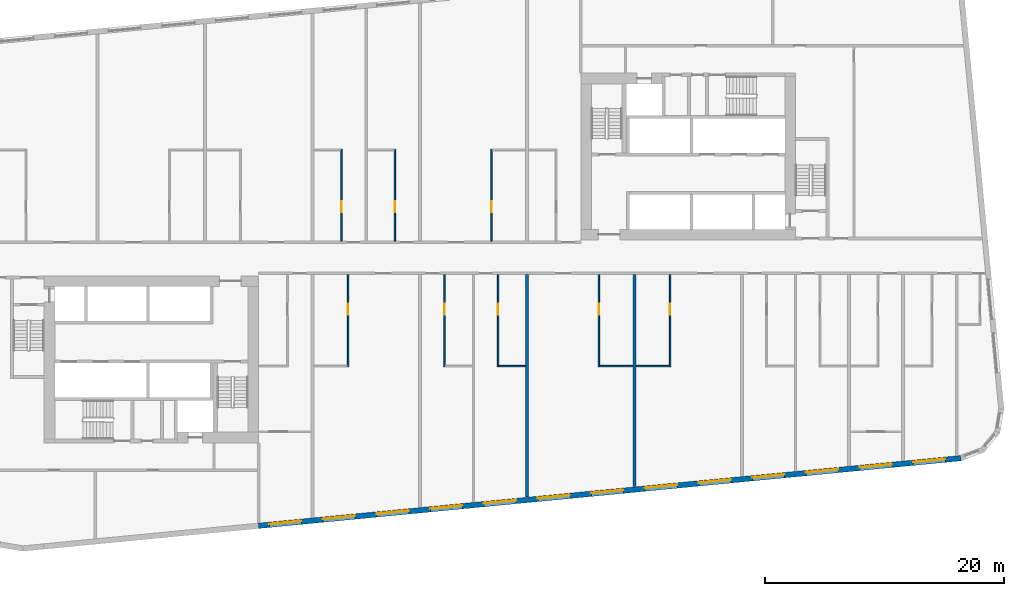
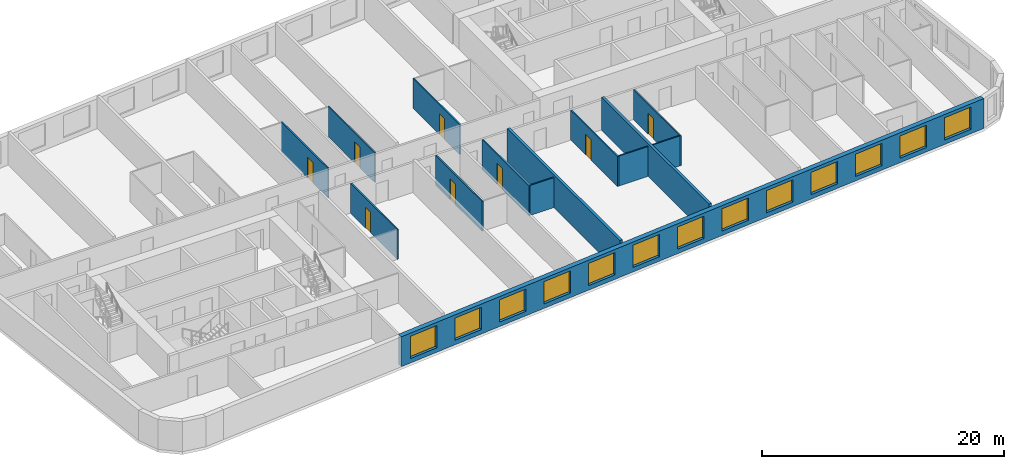
# One storey, part 4 of 12: 14 walls, 13 windows, 8 doors, 21 openings.
"""IFC4 building model written with IfcOpenShell, lengths in metres."""

import ifcopenshell
import ifcopenshell.guid

model = None  # the IFC model being written
_history = None  # IfcOwnerHistory: only IFC2X3 demands one
_inside = {}  # id of a spatial element -> (the spatial element, [elements in it])
_under = {}  # id of a project, library or spatial element -> (it, [spatial elements below it])
_declared = {}  # id of a project -> (the project, [libraries it declares])
_typed = {}  # id of a type object -> (the type object, [elements of that type])
_made_of = {}  # id of a material, layer set ... -> (it, [elements and type objects made of it])


def new_model(schema):
    """Start an empty IFC model of exactly this schema.

    Asked for "IFC4X3", IfcOpenShell would pick the latest addendum, in which some entities
    have other attributes; the version numbers below select the first issue.
    IFC2X3 requires an IfcOwnerHistory on every rooted entity: one is made here for all.
    """
    global model, _history
    if schema == "IFC4X3":
        model = ifcopenshell.file(schema_version=(4, 3, 0, 0))
    else:
        model = ifcopenshell.file(schema=schema)
    _inside.clear()
    _under.clear()
    _declared.clear()
    _typed.clear()
    _made_of.clear()
    _history = None
    if model.schema == "IFC2X3":
        org = make("IfcOrganization", Name="unknown")
        user = make(
            "IfcPersonAndOrganization",
            ThePerson=make("IfcPerson", FamilyName="unknown"),
            TheOrganization=org,
        )
        app = make(
            "IfcApplication",
            ApplicationDeveloper=org,
            Version="unknown",
            ApplicationFullName="unknown",
            ApplicationIdentifier="unknown",
        )
        _history = make(
            "IfcOwnerHistory",
            OwningUser=user,
            OwningApplication=app,
            ChangeAction="ADDED",
            CreationDate=0,
        )
    return model


def make(cls, **values):
    """One entity of the class cls with the attributes given. An attribute that is None is left unset."""
    return model.create_entity(
        cls, **{name: value for name, value in values.items() if value is not None}
    )


def rooted(cls, **values):
    """An entity with a GlobalId (a new one), such as an element, a storey or a relation."""
    return make(cls, GlobalId=ifcopenshell.guid.new(), OwnerHistory=_history, **values)


def si_unit(unit_type, name, prefix=None):
    """IfcSIUnit, for example si_unit("LENGTHUNIT", "METRE", prefix="MILLI")."""
    return make("IfcSIUnit", UnitType=unit_type, Prefix=prefix, Name=name)


def assignment(units):
    """IfcUnitAssignment: the units of a project."""
    return None if units is None else make("IfcUnitAssignment", Units=units)


def point(xyz):
    """IfcCartesianPoint."""
    return None if xyz is None else make("IfcCartesianPoint", Coordinates=xyz)


def direction(xyz):
    """IfcDirection."""
    return None if xyz is None else make("IfcDirection", DirectionRatios=xyz)


def frame(location, z_axis=None, x_axis=None):
    """IfcAxis2Placement3D, a coordinate frame: its origin and axes. An axis left out is left unset."""
    return make(
        "IfcAxis2Placement3D",
        Location=point(location),
        Axis=direction(z_axis),
        RefDirection=direction(x_axis),
    )


def frame_2d(location, x_axis=None):
    """IfcAxis2Placement2D, a coordinate frame in the plane: its origin and x axis."""
    return make(
        "IfcAxis2Placement2D", Location=point(location), RefDirection=direction(x_axis)
    )


def origin():
    """The frame at (0, 0, 0) with its axes left unset."""
    return frame((0.0, 0.0, 0.0))


def place(relative_to, where):
    """IfcLocalPlacement: puts the frame where relative to a parent placement (None: the world)."""
    return make(
        "IfcLocalPlacement", PlacementRelTo=relative_to, RelativePlacement=where
    )


def context(
    kind, dimensions, precision=None, world=None, true_north=None, identifier=None
):
    """IfcGeometricRepresentationContext, for example the 3D "Model" context."""
    return make(
        "IfcGeometricRepresentationContext",
        ContextIdentifier=identifier,
        ContextType=kind,
        CoordinateSpaceDimension=dimensions,
        Precision=precision,
        WorldCoordinateSystem=world,
        TrueNorth=true_north,
    )


def subcontext(parent, identifier, kind, view, scale=None):
    """IfcGeometricRepresentationSubContext, for example "Body" below "Model"."""
    return make(
        "IfcGeometricRepresentationSubContext",
        ContextIdentifier=identifier,
        ContextType=kind,
        ParentContext=parent,
        TargetScale=scale,
        TargetView=view,
    )


def project(units=None, contexts=None):
    """IfcProject with its units and contexts."""
    return rooted(
        "IfcProject",
        Name="project",
        RepresentationContexts=contexts,
        UnitsInContext=assignment(units),
    )


def spatial(cls, under=None, at=None, **own):
    """A site, building, storey or space (cls), placed at a placement, below another one or the project."""
    s = rooted(cls, ObjectPlacement=at, **own)
    if under is not None:
        _under.setdefault(under.id(), (under, []))[1].append(s)
    return s


def profile(cls, at=None, kind="AREA", **sizes):
    """A parametric profile (cls). Its sizes go by their IFC names, for example OverallWidth=200.0."""
    return make(cls, ProfileType=kind, Position=at, **sizes)


def rectangle(**sizes):
    """IfcRectangleProfileDef."""
    return profile("IfcRectangleProfileDef", **sizes)


def extrude(swept, where, along, depth):
    """IfcExtrudedAreaSolid: the profile swept, set in the frame where, extruded along a direction by depth."""
    return make(
        "IfcExtrudedAreaSolid",
        SweptArea=swept,
        Position=where,
        ExtrudedDirection=direction(along),
        Depth=depth,
    )


def shape(context_of_items, identifier, shape_type, items):
    """IfcShapeRepresentation: the items that make up one representation, for example the "Body"."""
    return make(
        "IfcShapeRepresentation",
        ContextOfItems=context_of_items,
        RepresentationIdentifier=identifier,
        RepresentationType=shape_type,
        Items=items,
    )


def material(Name=None, Category=None):
    """IfcMaterial."""
    return make("IfcMaterial", Name=Name, Category=Category)


def layer(
    of_material, thickness, ventilated=None, Name=None, Category=None, Priority=None
):
    """IfcMaterialLayer: one layer of a wall or slab, of a material (None: an air gap)."""
    return make(
        "IfcMaterialLayer",
        Material=of_material,
        LayerThickness=thickness,
        IsVentilated=ventilated,
        Name=Name,
        Category=Category,
        Priority=Priority,
    )


def layer_set(layers, Name=None):
    """IfcMaterialLayerSet."""
    return make("IfcMaterialLayerSet", MaterialLayers=layers, LayerSetName=Name)


def made_of(thing, what):
    """Note that an element or type object is made of a material, layer set ...; save() writes the relation."""
    if what is not None:
        _made_of.setdefault(what.id(), (what, []))[1].append(thing)
    return thing


def type_object(cls, material=None, **own):
    """A type object (cls), such as IfcWallType, which elements share."""
    return made_of(rooted(cls, **own), material)


def element(
    cls,
    number,
    at=None,
    inside=None,
    cuts=None,
    type_object=None,
    material=None,
    context=None,
    identifier="Body",
    shape_type=None,
    held_by="IfcProductDefinitionShape",
    body=None,
    shapes=None,
    **own,
):
    """One element of the class cls, such as IfcWall. Its Tag is "e" and its number.

    at: its placement. inside: the storey or other place that contains it. cuts: it is an
    opening in that element (IfcRelVoidsElement). A single representation is given by context,
    identifier, shape_type and body (its items); several are given by shapes. held_by: the class
    of the entity that holds the representations. save() writes the other relations.
    """
    e = rooted(cls, Tag="e%d" % number, ObjectPlacement=at, **own)
    if body is not None:
        shapes = [shape(context, identifier, shape_type, body)]
    if shapes is not None:
        e.Representation = make(held_by, Representations=shapes)
    if inside is not None:
        _inside.setdefault(inside.id(), (inside, []))[1].append(e)
    if cuts is not None:
        rooted(
            "IfcRelVoidsElement", RelatingBuildingElement=cuts, RelatedOpeningElement=e
        )
    if type_object is not None:
        _typed.setdefault(type_object.id(), (type_object, []))[1].append(e)
    return made_of(e, material)


def fill(opening, filler):
    """IfcRelFillsElement: the door or window that sits in an opening."""
    return rooted(
        "IfcRelFillsElement",
        RelatingOpeningElement=opening,
        RelatedBuildingElement=filler,
    )


def aggregate(whole, parts):
    """IfcRelAggregates: a whole, such as a stair, and the parts it consists of."""
    return rooted("IfcRelAggregates", RelatingObject=whole, RelatedObjects=parts)


def save(model, path):
    """Write the relations noted so far, then the file.

    IfcRelAggregates (storeys below a building ...), IfcRelContainedInSpatialStructure (elements
    in a storey), IfcRelDefinesByType, IfcRelAssociatesMaterial and IfcRelDeclares: one each for
    every whole, place, type object, material and project.
    """
    for whole, parts in _under.values():
        aggregate(whole, parts)
    for where, things in _inside.values():
        rooted(
            "IfcRelContainedInSpatialStructure",
            RelatedElements=things,
            RelatingStructure=where,
        )
    for kind, things in _typed.values():
        rooted("IfcRelDefinesByType", RelatedObjects=things, RelatingType=kind)
    for what, things in _made_of.values():
        rooted("IfcRelAssociatesMaterial", RelatedObjects=things, RelatingMaterial=what)
    for by, libraries in _declared.values():
        rooted("IfcRelDeclares", RelatingContext=by, RelatedDefinitions=libraries)
    model.write(path)


model = new_model("IFC4")

# Units and contexts
model_context = context("Model", 3, precision=1e-05, world=origin(), true_north=direction((0.0, 1.0)))
body_context = subcontext(model_context, "Body", "Model", "MODEL_VIEW")
ifc_project = project(units=[si_unit("LENGTHUNIT", "METRE"), si_unit("AREAUNIT", "SQUARE_METRE"), si_unit("VOLUMEUNIT", "CUBIC_METRE"), si_unit("PLANEANGLEUNIT", "RADIAN"), si_unit("MASSUNIT", "GRAM", prefix="KILO")], contexts=[model_context])

# Site, building, storey
site_placement = place(None, origin())
site = spatial("IfcSite", under=ifc_project, at=site_placement, CompositionType="ELEMENT")
building_placement = place(site_placement, origin())
building = spatial("IfcBuilding", under=site, at=building_placement, Name="Kajstack Hotel Tower", CompositionType="ELEMENT")
storey_placement = place(building_placement, frame((0.0, 0.0, 133.89990234375)))
storey = spatial("IfcBuildingStorey", under=building, at=storey_placement, Name="L30", CompositionType="ELEMENT", Elevation=133.89990234375)

# Wall, openings, windows
ifc_material_1 = material(Name="Terracotta-faced brick masonry", Category="masonry")
ifc_layer_1 = layer(ifc_material_1, 0.449951171875)
ifc_layer_set_1 = layer_set([ifc_layer_1], Name="EW-TERRA")
wall_type_1 = type_object("IfcWallType", Name="EW-TERRA", PredefinedType="SOLIDWALL", material=ifc_layer_set_1)
wall_1_placement = place(storey_placement, frame((-13.521484375, -22.46044921875, 0.0), z_axis=(0.0, 0.0, 1.0), x_axis=(0.995396096335, 0.095846812164, 0.0)))
wall_1 = element("IfcWall", 1, at=wall_1_placement, inside=storey, type_object=wall_type_1, Name="E-wall-L30-04-02", PredefinedType="SOLIDWALL", context=body_context, shape_type="SweptSolid", body=[
    extrude(rectangle(XDim=59.15087890625, YDim=0.449951171875, at=frame_2d((29.575439453125, 0.0))), origin(), (0.0, 0.0, 1.0), 3.02001953125),
])
opening_1_placement = place(wall_1_placement, frame((0.910400390625, 0.0, 0.449951171875)))
opening_1 = element("IfcOpeningElement", 2, at=opening_1_placement, cuts=wall_1, Name="Opening W1", PredefinedType="OPENING", context=body_context, shape_type="SweptSolid", body=[
    extrude(rectangle(XDim=2.699951171875, YDim=2.25, at=frame_2d((1.35009765625, 1.125))), frame((0.0, 0.23486328125, 0.0), z_axis=(0.0, -1.0, 0.0), x_axis=(1.0, 0.0, 0.0)), (0.0, 0.0, 1.0), 0.469970703125),
])
opening_2_placement = place(wall_1_placement, frame((5.43115234375, 0.0, 0.449951171875)))
opening_2 = element("IfcOpeningElement", 3, at=opening_2_placement, cuts=wall_1, Name="Opening W1", PredefinedType="OPENING", context=body_context, shape_type="SweptSolid", body=[
    extrude(rectangle(XDim=2.699951171875, YDim=2.25, at=frame_2d((1.35009765625, 1.125))), frame((0.0, 0.23486328125, 0.0), z_axis=(0.0, -1.0, 0.0), x_axis=(1.0, 0.0, 0.0)), (0.0, 0.0, 1.0), 0.469970703125),
])
opening_3_placement = place(wall_1_placement, frame((9.951904296875, 0.0, 0.449951171875)))
opening_3 = element("IfcOpeningElement", 4, at=opening_3_placement, cuts=wall_1, Name="Opening W1", PredefinedType="OPENING", context=body_context, shape_type="SweptSolid", body=[
    extrude(rectangle(XDim=2.699951171875, YDim=2.25, at=frame_2d((1.35009765625, 1.125))), frame((0.0, 0.23486328125, 0.0), z_axis=(0.0, -1.0, 0.0), x_axis=(1.0, 0.0, 0.0)), (0.0, 0.0, 1.0), 0.469970703125),
])
opening_4_placement = place(wall_1_placement, frame((14.472900390625, 0.0, 0.449951171875)))
opening_4 = element("IfcOpeningElement", 5, at=opening_4_placement, cuts=wall_1, Name="Opening W1", PredefinedType="OPENING", context=body_context, shape_type="SweptSolid", body=[
    extrude(rectangle(XDim=2.699951171875, YDim=2.25, at=frame_2d((1.35009765625, 1.125))), frame((0.0, 0.23486328125, 0.0), z_axis=(0.0, -1.0, 0.0), x_axis=(1.0, 0.0, 0.0)), (0.0, 0.0, 1.0), 0.469970703125),
])
opening_5_placement = place(wall_1_placement, frame((18.99365234375, 0.0, 0.449951171875)))
opening_5 = element("IfcOpeningElement", 6, at=opening_5_placement, cuts=wall_1, Name="Opening W1", PredefinedType="OPENING", context=body_context, shape_type="SweptSolid", body=[
    extrude(rectangle(XDim=2.699951171875, YDim=2.25, at=frame_2d((1.35009765625, 1.125))), frame((0.0, 0.23486328125, 0.0), z_axis=(0.0, -1.0, 0.0), x_axis=(1.0, 0.0, 0.0)), (0.0, 0.0, 1.0), 0.469970703125),
])
opening_6_placement = place(wall_1_placement, frame((23.514404296875, 0.0, 0.449951171875)))
opening_6 = element("IfcOpeningElement", 7, at=opening_6_placement, cuts=wall_1, Name="Opening W1", PredefinedType="OPENING", context=body_context, shape_type="SweptSolid", body=[
    extrude(rectangle(XDim=2.699951171875, YDim=2.25, at=frame_2d((1.35009765625, 1.125))), frame((0.0, 0.23486328125, 0.0), z_axis=(0.0, -1.0, 0.0), x_axis=(1.0, 0.0, 0.0)), (0.0, 0.0, 1.0), 0.469970703125),
])
opening_7_placement = place(wall_1_placement, frame((28.035400390625, 0.0, 0.449951171875)))
opening_7 = element("IfcOpeningElement", 8, at=opening_7_placement, cuts=wall_1, Name="Opening W1", PredefinedType="OPENING", context=body_context, shape_type="SweptSolid", body=[
    extrude(rectangle(XDim=2.699951171875, YDim=2.25, at=frame_2d((1.35009765625, 1.125))), frame((0.0, 0.23486328125, 0.0), z_axis=(0.0, -1.0, 0.0), x_axis=(1.0, 0.0, 0.0)), (0.0, 0.0, 1.0), 0.469970703125),
])
opening_8_placement = place(wall_1_placement, frame((32.55615234375, 0.0, 0.449951171875)))
opening_8 = element("IfcOpeningElement", 9, at=opening_8_placement, cuts=wall_1, Name="Opening W1", PredefinedType="OPENING", context=body_context, shape_type="SweptSolid", body=[
    extrude(rectangle(XDim=2.699951171875, YDim=2.25, at=frame_2d((1.35009765625, 1.125))), frame((0.0, 0.23486328125, 0.0), z_axis=(0.0, -1.0, 0.0), x_axis=(1.0, 0.0, 0.0)), (0.0, 0.0, 1.0), 0.469970703125),
])
opening_9_placement = place(wall_1_placement, frame((37.076904296875, 0.0, 0.449951171875)))
opening_9 = element("IfcOpeningElement", 10, at=opening_9_placement, cuts=wall_1, Name="Opening W1", PredefinedType="OPENING", context=body_context, shape_type="SweptSolid", body=[
    extrude(rectangle(XDim=2.699951171875, YDim=2.25, at=frame_2d((1.35009765625, 1.125))), frame((0.0, 0.23486328125, 0.0), z_axis=(0.0, -1.0, 0.0), x_axis=(1.0, 0.0, 0.0)), (0.0, 0.0, 1.0), 0.469970703125),
])
opening_10_placement = place(wall_1_placement, frame((41.59765625, 0.0, 0.449951171875)))
opening_10 = element("IfcOpeningElement", 11, at=opening_10_placement, cuts=wall_1, Name="Opening W1", PredefinedType="OPENING", context=body_context, shape_type="SweptSolid", body=[
    extrude(rectangle(XDim=2.699951171875, YDim=2.25, at=frame_2d((1.35009765625, 1.125))), frame((0.0, 0.23486328125, 0.0), z_axis=(0.0, -1.0, 0.0), x_axis=(1.0, 0.0, 0.0)), (0.0, 0.0, 1.0), 0.469970703125),
])
opening_11_placement = place(wall_1_placement, frame((46.118408203125, 0.0, 0.449951171875)))
opening_11 = element("IfcOpeningElement", 12, at=opening_11_placement, cuts=wall_1, Name="Opening W1", PredefinedType="OPENING", context=body_context, shape_type="SweptSolid", body=[
    extrude(rectangle(XDim=2.699951171875, YDim=2.25, at=frame_2d((1.35009765625, 1.125))), frame((0.0, 0.23486328125, 0.0), z_axis=(0.0, -1.0, 0.0), x_axis=(1.0, 0.0, 0.0)), (0.0, 0.0, 1.0), 0.469970703125),
])
opening_12_placement = place(wall_1_placement, frame((50.639404296875, 0.0, 0.449951171875)))
opening_12 = element("IfcOpeningElement", 13, at=opening_12_placement, cuts=wall_1, Name="Opening W1", PredefinedType="OPENING", context=body_context, shape_type="SweptSolid", body=[
    extrude(rectangle(XDim=2.699951171875, YDim=2.25, at=frame_2d((1.35009765625, 1.125))), frame((0.0, 0.23486328125, 0.0), z_axis=(0.0, -1.0, 0.0), x_axis=(1.0, 0.0, 0.0)), (0.0, 0.0, 1.0), 0.469970703125),
])
opening_13_placement = place(wall_1_placement, frame((55.149658203125, 0.0, 0.449951171875)))
opening_13 = element("IfcOpeningElement", 14, at=opening_13_placement, cuts=wall_1, Name="Opening W1", PredefinedType="OPENING", context=body_context, shape_type="SweptSolid", body=[
    extrude(rectangle(XDim=2.699951171875, YDim=2.25, at=frame_2d((1.35009765625, 1.125))), frame((0.0, 0.23486328125, 0.0), z_axis=(0.0, -1.0, 0.0), x_axis=(1.0, 0.0, 0.0)), (0.0, 0.0, 1.0), 0.469970703125),
])
ifc_material_2 = material(Name="Timber-aluminium window, triple glazed", Category="wood")
window_type = type_object("IfcWindowType", Name="WG1", PartitioningType="SINGLE_PANEL", PredefinedType="WINDOW", material=ifc_material_2)
window_1_placement = place(opening_1_placement, origin())
window_1 = element("IfcWindow", 15, at=window_1_placement, inside=storey, type_object=window_type, Name="Window W1 L30-04", OverallHeight=2.25, OverallWidth=2.699951171875, PartitioningType="SINGLE_PANEL", PredefinedType="WINDOW", context=body_context, shape_type="SweptSolid", body=[
    extrude(rectangle(XDim=2.699951171875, YDim=2.25, at=frame_2d((1.35009765625, 1.125))), frame((0.0, 0.090087890625, 0.0), z_axis=(0.0, -1.0, 0.0), x_axis=(1.0, 0.0, 0.0)), (0.0, 0.0, 1.0), 0.06005859375),
])
fill(opening_1, window_1)
window_2_placement = place(opening_2_placement, origin())
window_2 = element("IfcWindow", 16, at=window_2_placement, inside=storey, type_object=window_type, Name="Window W1 L30-04", OverallHeight=2.25, OverallWidth=2.699951171875, PartitioningType="SINGLE_PANEL", PredefinedType="WINDOW", context=body_context, shape_type="SweptSolid", body=[
    extrude(rectangle(XDim=2.699951171875, YDim=2.25, at=frame_2d((1.35009765625, 1.125))), frame((0.0, 0.090087890625, 0.0), z_axis=(0.0, -1.0, 0.0), x_axis=(1.0, 0.0, 0.0)), (0.0, 0.0, 1.0), 0.06005859375),
])
fill(opening_2, window_2)
window_3_placement = place(opening_3_placement, origin())
window_3 = element("IfcWindow", 17, at=window_3_placement, inside=storey, type_object=window_type, Name="Window W1 L30-04", OverallHeight=2.25, OverallWidth=2.699951171875, PartitioningType="SINGLE_PANEL", PredefinedType="WINDOW", context=body_context, shape_type="SweptSolid", body=[
    extrude(rectangle(XDim=2.699951171875, YDim=2.25, at=frame_2d((1.35009765625, 1.125))), frame((0.0, 0.090087890625, 0.0), z_axis=(0.0, -1.0, 0.0), x_axis=(1.0, 0.0, 0.0)), (0.0, 0.0, 1.0), 0.06005859375),
])
fill(opening_3, window_3)
window_4_placement = place(opening_4_placement, origin())
window_4 = element("IfcWindow", 18, at=window_4_placement, inside=storey, type_object=window_type, Name="Window W1 L30-04", OverallHeight=2.25, OverallWidth=2.699951171875, PartitioningType="SINGLE_PANEL", PredefinedType="WINDOW", context=body_context, shape_type="SweptSolid", body=[
    extrude(rectangle(XDim=2.699951171875, YDim=2.25, at=frame_2d((1.35009765625, 1.125))), frame((0.0, 0.090087890625, 0.0), z_axis=(0.0, -1.0, 0.0), x_axis=(1.0, 0.0, 0.0)), (0.0, 0.0, 1.0), 0.06005859375),
])
fill(opening_4, window_4)
window_5_placement = place(opening_5_placement, origin())
window_5 = element("IfcWindow", 19, at=window_5_placement, inside=storey, type_object=window_type, Name="Window W1 L30-04", OverallHeight=2.25, OverallWidth=2.699951171875, PartitioningType="SINGLE_PANEL", PredefinedType="WINDOW", context=body_context, shape_type="SweptSolid", body=[
    extrude(rectangle(XDim=2.699951171875, YDim=2.25, at=frame_2d((1.35009765625, 1.125))), frame((0.0, 0.090087890625, 0.0), z_axis=(0.0, -1.0, 0.0), x_axis=(1.0, 0.0, 0.0)), (0.0, 0.0, 1.0), 0.06005859375),
])
fill(opening_5, window_5)
window_6_placement = place(opening_6_placement, origin())
window_6 = element("IfcWindow", 20, at=window_6_placement, inside=storey, type_object=window_type, Name="Window W1 L30-04", OverallHeight=2.25, OverallWidth=2.699951171875, PartitioningType="SINGLE_PANEL", PredefinedType="WINDOW", context=body_context, shape_type="SweptSolid", body=[
    extrude(rectangle(XDim=2.699951171875, YDim=2.25, at=frame_2d((1.35009765625, 1.125))), frame((0.0, 0.090087890625, 0.0), z_axis=(0.0, -1.0, 0.0), x_axis=(1.0, 0.0, 0.0)), (0.0, 0.0, 1.0), 0.06005859375),
])
fill(opening_6, window_6)
window_7_placement = place(opening_7_placement, origin())
window_7 = element("IfcWindow", 21, at=window_7_placement, inside=storey, type_object=window_type, Name="Window W1 L30-04", OverallHeight=2.25, OverallWidth=2.699951171875, PartitioningType="SINGLE_PANEL", PredefinedType="WINDOW", context=body_context, shape_type="SweptSolid", body=[
    extrude(rectangle(XDim=2.699951171875, YDim=2.25, at=frame_2d((1.35009765625, 1.125))), frame((0.0, 0.090087890625, 0.0), z_axis=(0.0, -1.0, 0.0), x_axis=(1.0, 0.0, 0.0)), (0.0, 0.0, 1.0), 0.06005859375),
])
fill(opening_7, window_7)
window_8_placement = place(opening_8_placement, origin())
window_8 = element("IfcWindow", 22, at=window_8_placement, inside=storey, type_object=window_type, Name="Window W1 L30-04", OverallHeight=2.25, OverallWidth=2.699951171875, PartitioningType="SINGLE_PANEL", PredefinedType="WINDOW", context=body_context, shape_type="SweptSolid", body=[
    extrude(rectangle(XDim=2.699951171875, YDim=2.25, at=frame_2d((1.35009765625, 1.125))), frame((0.0, 0.090087890625, 0.0), z_axis=(0.0, -1.0, 0.0), x_axis=(1.0, 0.0, 0.0)), (0.0, 0.0, 1.0), 0.06005859375),
])
fill(opening_8, window_8)
window_9_placement = place(opening_9_placement, origin())
window_9 = element("IfcWindow", 23, at=window_9_placement, inside=storey, type_object=window_type, Name="Window W1 L30-04", OverallHeight=2.25, OverallWidth=2.699951171875, PartitioningType="SINGLE_PANEL", PredefinedType="WINDOW", context=body_context, shape_type="SweptSolid", body=[
    extrude(rectangle(XDim=2.699951171875, YDim=2.25, at=frame_2d((1.35009765625, 1.125))), frame((0.0, 0.090087890625, 0.0), z_axis=(0.0, -1.0, 0.0), x_axis=(1.0, 0.0, 0.0)), (0.0, 0.0, 1.0), 0.06005859375),
])
fill(opening_9, window_9)
window_10_placement = place(opening_10_placement, origin())
window_10 = element("IfcWindow", 24, at=window_10_placement, inside=storey, type_object=window_type, Name="Window W1 L30-04", OverallHeight=2.25, OverallWidth=2.699951171875, PartitioningType="SINGLE_PANEL", PredefinedType="WINDOW", context=body_context, shape_type="SweptSolid", body=[
    extrude(rectangle(XDim=2.699951171875, YDim=2.25, at=frame_2d((1.35009765625, 1.125))), frame((0.0, 0.090087890625, 0.0), z_axis=(0.0, -1.0, 0.0), x_axis=(1.0, 0.0, 0.0)), (0.0, 0.0, 1.0), 0.06005859375),
])
fill(opening_10, window_10)
window_11_placement = place(opening_11_placement, origin())
window_11 = element("IfcWindow", 25, at=window_11_placement, inside=storey, type_object=window_type, Name="Window W1 L30-04", OverallHeight=2.25, OverallWidth=2.699951171875, PartitioningType="SINGLE_PANEL", PredefinedType="WINDOW", context=body_context, shape_type="SweptSolid", body=[
    extrude(rectangle(XDim=2.699951171875, YDim=2.25, at=frame_2d((1.35009765625, 1.125))), frame((0.0, 0.090087890625, 0.0), z_axis=(0.0, -1.0, 0.0), x_axis=(1.0, 0.0, 0.0)), (0.0, 0.0, 1.0), 0.06005859375),
])
fill(opening_11, window_11)
window_12_placement = place(opening_12_placement, origin())
window_12 = element("IfcWindow", 26, at=window_12_placement, inside=storey, type_object=window_type, Name="Window W1 L30-04", OverallHeight=2.25, OverallWidth=2.699951171875, PartitioningType="SINGLE_PANEL", PredefinedType="WINDOW", context=body_context, shape_type="SweptSolid", body=[
    extrude(rectangle(XDim=2.699951171875, YDim=2.25, at=frame_2d((1.35009765625, 1.125))), frame((0.0, 0.090087890625, 0.0), z_axis=(0.0, -1.0, 0.0), x_axis=(1.0, 0.0, 0.0)), (0.0, 0.0, 1.0), 0.06005859375),
])
fill(opening_12, window_12)
window_13_placement = place(opening_13_placement, origin())
window_13 = element("IfcWindow", 27, at=window_13_placement, inside=storey, type_object=window_type, Name="Window W1 L30-04", OverallHeight=2.25, OverallWidth=2.699951171875, PartitioningType="SINGLE_PANEL", PredefinedType="WINDOW", context=body_context, shape_type="SweptSolid", body=[
    extrude(rectangle(XDim=2.699951171875, YDim=2.25, at=frame_2d((1.35009765625, 1.125))), frame((0.0, 0.090087890625, 0.0), z_axis=(0.0, -1.0, 0.0), x_axis=(1.0, 0.0, 0.0)), (0.0, 0.0, 1.0), 0.06005859375),
])
fill(opening_13, window_13)

# Wall, opening, door
ifc_material_3 = material(Name="Gypsum board and tiled backer on steel studs", Category="steel")
ifc_layer_2 = layer(ifc_material_3, 0.125)
ifc_layer_set_2 = layer_set([ifc_layer_2], Name="En-suite wall 125")
wall_type_2 = type_object("IfcWallType", Name="En-suite wall 125", PredefinedType="PARTITIONING", material=ifc_layer_set_2)
wall_2_placement = place(storey_placement, frame((-6.56201171875, 1.39990234375, 0.0), z_axis=(0.0, 0.0, 1.0), x_axis=(0.0, 1.0, 0.0)))
wall_2 = element("IfcWall", 28, at=wall_2_placement, inside=storey, type_object=wall_type_2, Name="G-wall-L30-013", PredefinedType="PARTITIONING", context=body_context, shape_type="SweptSolid", body=[
    extrude(rectangle(XDim=7.72509765625, YDim=0.125, at=frame_2d((3.862548828125, 0.0))), origin(), (0.0, 0.0, 1.0), 3.02001953125),
])
opening_14_placement = place(wall_2_placement, frame((2.449951171875, 0.0, 0.0)))
opening_14 = element("IfcOpeningElement", 29, at=opening_14_placement, cuts=wall_2, Name="Opening 30010", PredefinedType="OPENING", context=body_context, shape_type="SweptSolid", body=[
    extrude(rectangle(XDim=0.89990234375, YDim=2.10009765625, at=frame_2d((0.449951171875, 1.050048828125))), frame((0.0, 0.072509765625, 0.0), z_axis=(0.0, -1.0, 0.0), x_axis=(1.0, 0.0, 0.0)), (0.0, 0.0, 1.0), 0.14501953125),
])
ifc_material_4 = material(Name="Painted timber door leaf", Category="wood")
door_type = type_object("IfcDoorType", Name="Room door 900", OperationType="SINGLE_SWING_LEFT", PredefinedType="DOOR", material=ifc_material_4)
door_1_placement = place(opening_14_placement, origin())
door_1 = element("IfcDoor", 30, at=door_1_placement, inside=storey, type_object=door_type, Name="G-door-L30-10", OperationType="SINGLE_SWING_LEFT", OverallHeight=2.10009765625, OverallWidth=0.89990234375, PredefinedType="DOOR", context=body_context, shape_type="SweptSolid", body=[
    extrude(rectangle(XDim=0.89990234375, YDim=2.10009765625, at=frame_2d((0.449951171875, 1.050048828125))), frame((0.0, 0.02490234375, 0.0), z_axis=(0.0, -1.0, 0.0), x_axis=(1.0, 0.0, 0.0)), (0.0, 0.0, 1.0), 0.050048828125),
])
fill(opening_14, door_1)

wall_3_placement = place(storey_placement, frame((-2.0869140625, 1.39990234375, 0.0), z_axis=(0.0, 0.0, 1.0), x_axis=(0.0, 1.0, 0.0)))
wall_3 = element("IfcWall", 31, at=wall_3_placement, inside=storey, type_object=wall_type_2, Name="G-wall-L30-015", PredefinedType="PARTITIONING", context=body_context, shape_type="SweptSolid", body=[
    extrude(rectangle(XDim=7.72509765625, YDim=0.125, at=frame_2d((3.862548828125, 0.0))), origin(), (0.0, 0.0, 1.0), 3.02001953125),
])
opening_15_placement = place(wall_3_placement, frame((2.449951171875, 0.0, 0.0)))
opening_15 = element("IfcOpeningElement", 32, at=opening_15_placement, cuts=wall_3, Name="Opening 30012", PredefinedType="OPENING", context=body_context, shape_type="SweptSolid", body=[
    extrude(rectangle(XDim=0.89990234375, YDim=2.10009765625, at=frame_2d((0.449951171875, 1.050048828125))), frame((0.0, 0.072509765625, 0.0), z_axis=(0.0, -1.0, 0.0), x_axis=(1.0, 0.0, 0.0)), (0.0, 0.0, 1.0), 0.14501953125),
])
door_2_placement = place(opening_15_placement, origin())
door_2 = element("IfcDoor", 33, at=door_2_placement, inside=storey, type_object=door_type, Name="G-door-L30-12", OperationType="SINGLE_SWING_LEFT", OverallHeight=2.10009765625, OverallWidth=0.89990234375, PredefinedType="DOOR", context=body_context, shape_type="SweptSolid", body=[
    extrude(rectangle(XDim=0.89990234375, YDim=2.10009765625, at=frame_2d((0.449951171875, 1.050048828125))), frame((0.0, 0.02490234375, 0.0), z_axis=(0.0, -1.0, 0.0), x_axis=(1.0, 0.0, 0.0)), (0.0, 0.0, 1.0), 0.050048828125),
])
fill(opening_15, door_2)

wall_4_placement = place(storey_placement, frame((6.012939453125, 1.39990234375, 0.0), z_axis=(0.0, 0.0, 1.0), x_axis=(0.0, 1.0, 0.0)))
wall_4 = element("IfcWall", 34, at=wall_4_placement, inside=storey, type_object=wall_type_2, Name="G-wall-L30-017", PredefinedType="PARTITIONING", context=body_context, shape_type="SweptSolid", body=[
    extrude(rectangle(XDim=7.72509765625, YDim=0.125, at=frame_2d((3.862548828125, 0.0))), origin(), (0.0, 0.0, 1.0), 3.02001953125),
])
opening_16_placement = place(wall_4_placement, frame((2.449951171875, 0.0, 0.0)))
opening_16 = element("IfcOpeningElement", 35, at=opening_16_placement, cuts=wall_4, Name="Opening 30014", PredefinedType="OPENING", context=body_context, shape_type="SweptSolid", body=[
    extrude(rectangle(XDim=0.89990234375, YDim=2.10009765625, at=frame_2d((0.449951171875, 1.050048828125))), frame((0.0, 0.072509765625, 0.0), z_axis=(0.0, -1.0, 0.0), x_axis=(1.0, 0.0, 0.0)), (0.0, 0.0, 1.0), 0.14501953125),
])
door_3_placement = place(opening_16_placement, origin())
door_3 = element("IfcDoor", 36, at=door_3_placement, inside=storey, type_object=door_type, Name="G-door-L30-14", OperationType="SINGLE_SWING_RIGHT", OverallHeight=2.10009765625, OverallWidth=0.89990234375, PredefinedType="DOOR", context=body_context, shape_type="SweptSolid", body=[
    extrude(rectangle(XDim=0.89990234375, YDim=2.10009765625, at=frame_2d((0.449951171875, 1.050048828125))), frame((0.0, 0.02490234375, 0.0), z_axis=(0.0, -1.0, 0.0), x_axis=(1.0, 0.0, 0.0)), (0.0, 0.0, 1.0), 0.050048828125),
])
fill(opening_16, door_3)

wall_5_placement = place(storey_placement, frame((-6.012939453125, -9.125, 0.0), z_axis=(0.0, 0.0, 1.0), x_axis=(0.0, 1.0, 0.0)))
wall_5 = element("IfcWall", 37, at=wall_5_placement, inside=storey, type_object=wall_type_2, Name="G-wall-L30-025", PredefinedType="PARTITIONING", context=body_context, shape_type="SweptSolid", body=[
    extrude(rectangle(XDim=7.72509765625, YDim=0.125, at=frame_2d((3.862548828125, 0.0))), origin(), (0.0, 0.0, 1.0), 3.02001953125),
])
opening_17_placement = place(wall_5_placement, frame((4.375, 0.0, 0.0)))
opening_17 = element("IfcOpeningElement", 38, at=opening_17_placement, cuts=wall_5, Name="Opening 30021", PredefinedType="OPENING", context=body_context, shape_type="SweptSolid", body=[
    extrude(rectangle(XDim=0.89990234375, YDim=2.10009765625, at=frame_2d((0.449951171875, 1.050048828125))), frame((0.0, 0.072509765625, 0.0), z_axis=(0.0, -1.0, 0.0), x_axis=(1.0, 0.0, 0.0)), (0.0, 0.0, 1.0), 0.14501953125),
])
door_4_placement = place(opening_17_placement, origin())
door_4 = element("IfcDoor", 39, at=door_4_placement, inside=storey, type_object=door_type, Name="G-door-L30-21", OperationType="SINGLE_SWING_RIGHT", OverallHeight=2.10009765625, OverallWidth=0.89990234375, PredefinedType="DOOR", context=body_context, shape_type="SweptSolid", body=[
    extrude(rectangle(XDim=0.89990234375, YDim=2.10009765625, at=frame_2d((0.449951171875, 1.050048828125))), frame((0.0, 0.02490234375, 0.0), z_axis=(0.0, -1.0, 0.0), x_axis=(1.0, 0.0, 0.0)), (0.0, 0.0, 1.0), 0.050048828125),
])
fill(opening_17, door_4)

wall_6_placement = place(storey_placement, frame((2.0869140625, -9.125, 0.0), z_axis=(0.0, 0.0, 1.0), x_axis=(0.0, 1.0, 0.0)))
wall_6 = element("IfcWall", 40, at=wall_6_placement, inside=storey, type_object=wall_type_2, Name="G-wall-L30-028", PredefinedType="PARTITIONING", context=body_context, shape_type="SweptSolid", body=[
    extrude(rectangle(XDim=7.72509765625, YDim=0.125, at=frame_2d((3.862548828125, 0.0))), origin(), (0.0, 0.0, 1.0), 3.02001953125),
])
opening_18_placement = place(wall_6_placement, frame((4.375, 0.0, 0.0)))
opening_18 = element("IfcOpeningElement", 41, at=opening_18_placement, cuts=wall_6, Name="Opening 30023", PredefinedType="OPENING", context=body_context, shape_type="SweptSolid", body=[
    extrude(rectangle(XDim=0.89990234375, YDim=2.10009765625, at=frame_2d((0.449951171875, 1.050048828125))), frame((0.0, 0.072509765625, 0.0), z_axis=(0.0, -1.0, 0.0), x_axis=(1.0, 0.0, 0.0)), (0.0, 0.0, 1.0), 0.14501953125),
])
door_5_placement = place(opening_18_placement, origin())
door_5 = element("IfcDoor", 42, at=door_5_placement, inside=storey, type_object=door_type, Name="G-door-L30-23", OperationType="SINGLE_SWING_LEFT", OverallHeight=2.10009765625, OverallWidth=0.89990234375, PredefinedType="DOOR", context=body_context, shape_type="SweptSolid", body=[
    extrude(rectangle(XDim=0.89990234375, YDim=2.10009765625, at=frame_2d((0.449951171875, 1.050048828125))), frame((0.0, 0.02490234375, 0.0), z_axis=(0.0, -1.0, 0.0), x_axis=(1.0, 0.0, 0.0)), (0.0, 0.0, 1.0), 0.050048828125),
])
fill(opening_18, door_5)

wall_7_placement = place(storey_placement, frame((6.56201171875, -9.125, 0.0), z_axis=(0.0, 0.0, 1.0), x_axis=(0.0, 1.0, 0.0)))
wall_7 = element("IfcWall", 43, at=wall_7_placement, inside=storey, type_object=wall_type_2, Name="G-wall-L30-030", PredefinedType="PARTITIONING", context=body_context, shape_type="SweptSolid", body=[
    extrude(rectangle(XDim=7.72509765625, YDim=0.125, at=frame_2d((3.862548828125, 0.0))), origin(), (0.0, 0.0, 1.0), 3.02001953125),
])
opening_19_placement = place(wall_7_placement, frame((4.375, 0.0, 0.0)))
opening_19 = element("IfcOpeningElement", 44, at=opening_19_placement, cuts=wall_7, Name="Opening 30025", PredefinedType="OPENING", context=body_context, shape_type="SweptSolid", body=[
    extrude(rectangle(XDim=0.89990234375, YDim=2.10009765625, at=frame_2d((0.449951171875, 1.050048828125))), frame((0.0, 0.072509765625, 0.0), z_axis=(0.0, -1.0, 0.0), x_axis=(1.0, 0.0, 0.0)), (0.0, 0.0, 1.0), 0.14501953125),
])
door_6_placement = place(opening_19_placement, origin())
door_6 = element("IfcDoor", 45, at=door_6_placement, inside=storey, type_object=door_type, Name="G-door-L30-25", OperationType="SINGLE_SWING_RIGHT", OverallHeight=2.10009765625, OverallWidth=0.89990234375, PredefinedType="DOOR", context=body_context, shape_type="SweptSolid", body=[
    extrude(rectangle(XDim=0.89990234375, YDim=2.10009765625, at=frame_2d((0.449951171875, 1.050048828125))), frame((0.0, 0.02490234375, 0.0), z_axis=(0.0, -1.0, 0.0), x_axis=(1.0, 0.0, 0.0)), (0.0, 0.0, 1.0), 0.050048828125),
])
fill(opening_19, door_6)

# Wall
wall_8_placement = place(storey_placement, frame((6.625, -9.06201171875, 0.0), z_axis=(0.0, 0.0, 1.0), x_axis=(1.0, 0.0, 0.0)))
element("IfcWall", 46, at=wall_8_placement, inside=storey, type_object=wall_type_2, Name="G-wall-L30-031", PredefinedType="PARTITIONING", context=body_context, shape_type="SweptSolid", body=[
    extrude(rectangle(XDim=2.25, YDim=0.125, at=frame_2d((1.125, 0.0))), origin(), (0.0, 0.0, 1.0), 3.02001953125),
])

# Wall, opening, door
wall_9_placement = place(storey_placement, frame((15.011962890625, -9.125, 0.0), z_axis=(0.0, 0.0, 1.0), x_axis=(0.0, 1.0, 0.0)))
wall_9 = element("IfcWall", 47, at=wall_9_placement, inside=storey, type_object=wall_type_2, Name="G-wall-L30-032", PredefinedType="PARTITIONING", context=body_context, shape_type="SweptSolid", body=[
    extrude(rectangle(XDim=7.72509765625, YDim=0.125, at=frame_2d((3.862548828125, 0.0))), origin(), (0.0, 0.0, 1.0), 3.02001953125),
])
opening_20_placement = place(wall_9_placement, frame((4.375, 0.0, 0.0)))
opening_20 = element("IfcOpeningElement", 48, at=opening_20_placement, cuts=wall_9, Name="Opening 30027", PredefinedType="OPENING", context=body_context, shape_type="SweptSolid", body=[
    extrude(rectangle(XDim=0.89990234375, YDim=2.10009765625, at=frame_2d((0.449951171875, 1.050048828125))), frame((0.0, 0.072509765625, 0.0), z_axis=(0.0, -1.0, 0.0), x_axis=(1.0, 0.0, 0.0)), (0.0, 0.0, 1.0), 0.14501953125),
])
door_7_placement = place(opening_20_placement, origin())
door_7 = element("IfcDoor", 49, at=door_7_placement, inside=storey, type_object=door_type, Name="G-door-L30-27", OperationType="SINGLE_SWING_LEFT", OverallHeight=2.10009765625, OverallWidth=0.89990234375, PredefinedType="DOOR", context=body_context, shape_type="SweptSolid", body=[
    extrude(rectangle(XDim=0.89990234375, YDim=2.10009765625, at=frame_2d((0.449951171875, 1.050048828125))), frame((0.0, 0.02490234375, 0.0), z_axis=(0.0, -1.0, 0.0), x_axis=(1.0, 0.0, 0.0)), (0.0, 0.0, 1.0), 0.050048828125),
])
fill(opening_20, door_7)

# Wall
wall_10_placement = place(storey_placement, frame((15.074951171875, -9.06201171875, 0.0), z_axis=(0.0, 0.0, 1.0), x_axis=(1.0, 0.0, 0.0)))
element("IfcWall", 50, at=wall_10_placement, inside=storey, type_object=wall_type_2, Name="G-wall-L30-033", PredefinedType="PARTITIONING", context=body_context, shape_type="SweptSolid", body=[
    extrude(rectangle(XDim=2.800048828125, YDim=0.125, at=frame_2d((1.39990234375, 0.0))), origin(), (0.0, 0.0, 1.0), 3.02001953125),
])

# Wall, opening, door
wall_11_placement = place(storey_placement, frame((20.988037109375, -9.125, 0.0), z_axis=(0.0, 0.0, 1.0), x_axis=(0.0, 1.0, 0.0)))
wall_11 = element("IfcWall", 51, at=wall_11_placement, inside=storey, type_object=wall_type_2, Name="G-wall-L30-034", PredefinedType="PARTITIONING", context=body_context, shape_type="SweptSolid", body=[
    extrude(rectangle(XDim=7.72509765625, YDim=0.125, at=frame_2d((3.862548828125, 0.0))), origin(), (0.0, 0.0, 1.0), 3.02001953125),
])
opening_21_placement = place(wall_11_placement, frame((4.375, 0.0, 0.0)))
opening_21 = element("IfcOpeningElement", 52, at=opening_21_placement, cuts=wall_11, Name="Opening 30029", PredefinedType="OPENING", context=body_context, shape_type="SweptSolid", body=[
    extrude(rectangle(XDim=0.89990234375, YDim=2.10009765625, at=frame_2d((0.449951171875, 1.050048828125))), frame((0.0, 0.072509765625, 0.0), z_axis=(0.0, -1.0, 0.0), x_axis=(1.0, 0.0, 0.0)), (0.0, 0.0, 1.0), 0.14501953125),
])
door_8_placement = place(opening_21_placement, origin())
door_8 = element("IfcDoor", 53, at=door_8_placement, inside=storey, type_object=door_type, Name="G-door-L30-29", OperationType="SINGLE_SWING_RIGHT", OverallHeight=2.10009765625, OverallWidth=0.89990234375, PredefinedType="DOOR", context=body_context, shape_type="SweptSolid", body=[
    extrude(rectangle(XDim=0.89990234375, YDim=2.10009765625, at=frame_2d((0.449951171875, 1.050048828125))), frame((0.0, 0.02490234375, 0.0), z_axis=(0.0, -1.0, 0.0), x_axis=(1.0, 0.0, 0.0)), (0.0, 0.0, 1.0), 0.050048828125),
])
fill(opening_21, door_8)

# Walls
wall_12_placement = place(storey_placement, frame((18.125, -9.06201171875, 0.0), z_axis=(0.0, 0.0, 1.0), x_axis=(1.0, 0.0, 0.0)))
element("IfcWall", 54, at=wall_12_placement, inside=storey, type_object=wall_type_2, Name="G-wall-L30-035", PredefinedType="PARTITIONING", context=body_context, shape_type="SweptSolid", body=[
    extrude(rectangle(XDim=2.800048828125, YDim=0.125, at=frame_2d((1.39990234375, 0.0))), origin(), (0.0, 0.0, 1.0), 3.02001953125),
])
ifc_material_5 = material(Name="Concrete C55/67", Category="concrete")
ifc_layer_3 = layer(ifc_material_5, 0.25)
ifc_layer_set_3 = layer_set([ifc_layer_3], Name="RC cross wall 250 C55/67")
wall_type_3 = type_object("IfcWallType", Name="RC cross wall 250 C55/67", PredefinedType="SHEAR", material=ifc_layer_set_3)
wall_13_placement = place(storey_placement, frame((9.0, -20.043701171875, 0.0), z_axis=(0.0, 0.0, 1.0), x_axis=(0.0, 1.0, 0.0)))
element("IfcWall", 55, at=wall_13_placement, inside=storey, type_object=wall_type_3, Name="S-wall-L30-08", PredefinedType="SHEAR", context=body_context, shape_type="SweptSolid", body=[
    extrude(rectangle(XDim=18.643798828125, YDim=0.25, at=frame_2d((9.32177734375, 0.0))), origin(), (0.0, 0.0, 1.0), 3.300048828125),
])
wall_14_placement = place(storey_placement, frame((18.0, -19.17724609375, 0.0), z_axis=(0.0, 0.0, 1.0), x_axis=(0.0, 1.0, 0.0)))
element("IfcWall", 56, at=wall_14_placement, inside=storey, type_object=wall_type_3, Name="S-wall-L30-10", PredefinedType="SHEAR", context=body_context, shape_type="SweptSolid", body=[
    extrude(rectangle(XDim=17.77734375, YDim=0.25, at=frame_2d((8.888671875, 0.0))), origin(), (0.0, 0.0, 1.0), 3.300048828125),
])

save(model, "model.ifc")
